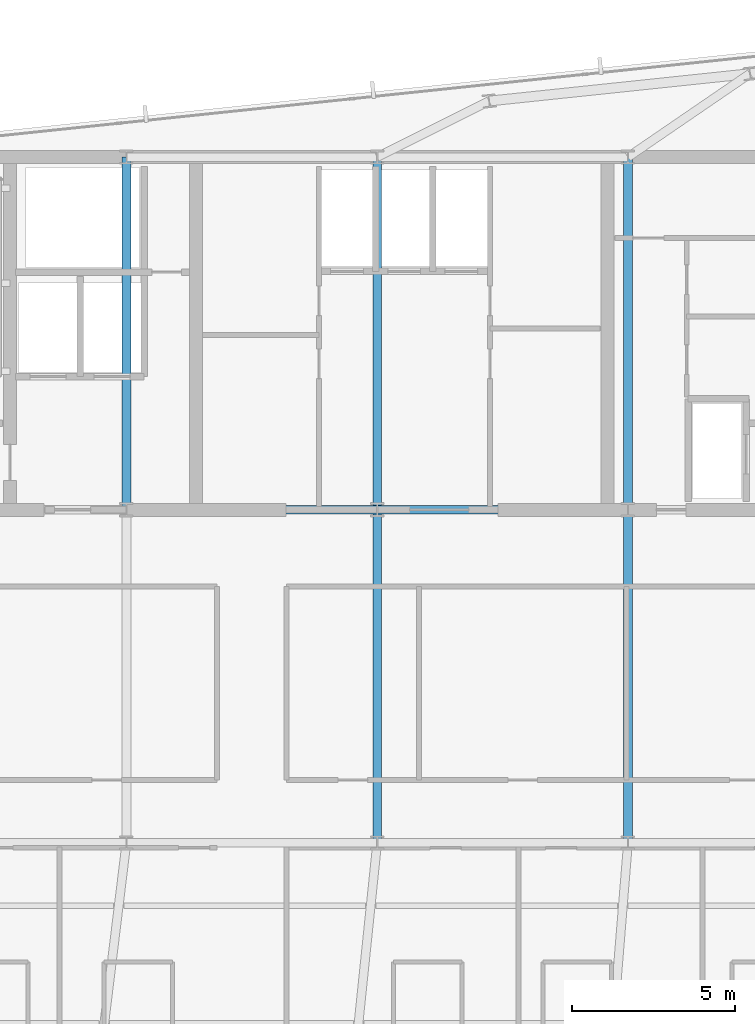
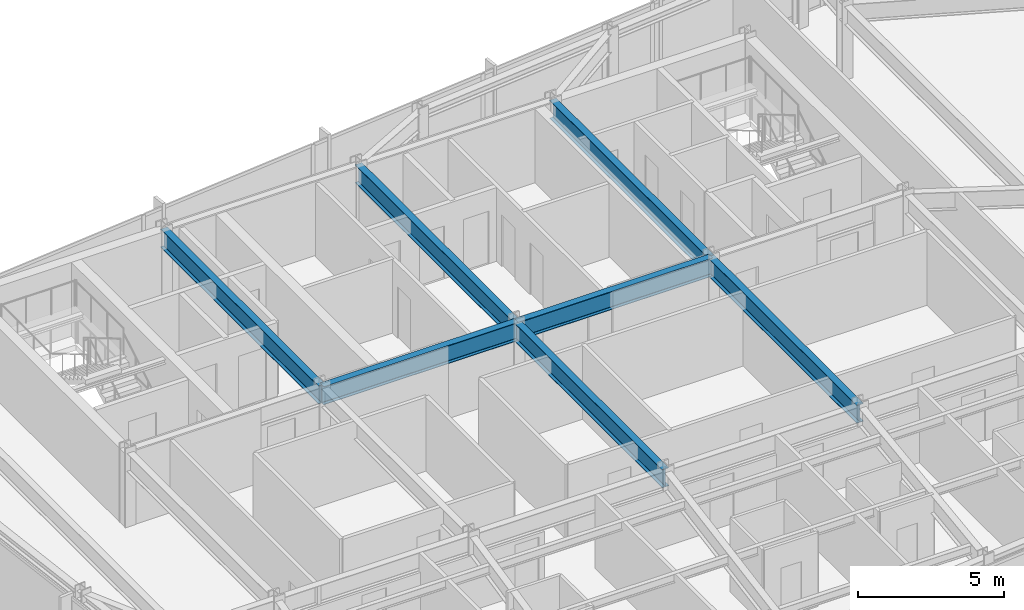
# One storey, part 13 of 33: 7 beams.
"""IFC4 building model written with IfcOpenShell, lengths in metres."""

from ifc_helpers import new_model, si_unit, direction, frame, origin, origin_2d, place, context, subcontext, project, spatial, i_section, extrude, material, material_profile, profile_set, type_object, element, save


model = new_model("IFC4")

# Units and contexts
model_context = context("Model", 3, precision=1e-05, world=origin(), true_north=direction((0.0, 1.0)))
body_context = subcontext(model_context, "Body", "Model", "MODEL_VIEW")
ifc_project = project(units=[si_unit("LENGTHUNIT", "METRE"), si_unit("AREAUNIT", "SQUARE_METRE"), si_unit("VOLUMEUNIT", "CUBIC_METRE"), si_unit("PLANEANGLEUNIT", "RADIAN"), si_unit("MASSUNIT", "GRAM", prefix="KILO")], contexts=[model_context])

# Site, building, storey
site_placement = place(None, origin())
site = spatial("IfcSite", under=ifc_project, at=site_placement, CompositionType="ELEMENT")
building_placement = place(site_placement, origin())
building = spatial("IfcBuilding", under=site, at=building_placement, Name="Yelkora Congress Tower", CompositionType="ELEMENT")
storey_placement = place(building_placement, frame((0.0, 0.0, 240.800048828125)))
storey = spatial("IfcBuildingStorey", under=building, at=storey_placement, Name="L67", CompositionType="ELEMENT", Elevation=240.800048828125)

# Beams
ifc_material = material(Name="Steel S355J2", Category="steel")
ifc_material_profile = material_profile(ifc_material, i_section(OverallWidth=0.26708984375, OverallDepth=0.761962890625, WebThickness=0.014404296875, FlangeThickness=0.021484375, FilletRadius=0.01708984375, at=origin_2d()), Name="IPE 750x173")
ifc_profile_set = profile_set([ifc_material_profile], Name="Steel S355J2")
beam_type = type_object("IfcBeamType", Name="BM-GIRD-IPE750", PredefinedType="BEAM", material=ifc_profile_set)
beam_1_placement = place(storey_placement, frame((30.719970703125, 35.39990234375, 2.698974609375), z_axis=(1.0, 0.0, 0.0), x_axis=(0.0, 1.0, 0.0)))
element("IfcBeam", 1, at=beam_1_placement, inside=storey, type_object=beam_type, Name="L67 Core South Girder 2", PredefinedType="BEAM", context=body_context, shape_type="SweptSolid", body=[
    extrude(i_section(OverallWidth=0.26708984375, OverallDepth=0.761962890625, WebThickness=0.014404296875, FlangeThickness=0.021484375, FilletRadius=0.01708984375, at=origin_2d()), origin(), (0.0, 0.0, 1.0), 7.679931640625),
])
beam_2_placement = place(storey_placement, frame((38.39990234375, 35.39990234375, 2.698974609375), z_axis=(1.0, 0.0, 0.0), x_axis=(0.0, 1.0, 0.0)))
element("IfcBeam", 2, at=beam_2_placement, inside=storey, type_object=beam_type, Name="L67 Core South Girder 3", PredefinedType="BEAM", context=body_context, shape_type="SweptSolid", body=[
    extrude(i_section(OverallWidth=0.26708984375, OverallDepth=0.761962890625, WebThickness=0.014404296875, FlangeThickness=0.021484375, FilletRadius=0.01708984375, at=origin_2d()), origin(), (0.0, 0.0, 1.0), 7.68017578125),
])
beam_3_placement = place(storey_placement, frame((30.719970703125, 35.39990234375, 2.698974609375), z_axis=(0.0, 1.0, 0.0), x_axis=(-1.0, 0.0, 0.0)))
element("IfcBeam", 3, at=beam_3_placement, inside=storey, type_object=beam_type, Name="L67 Core Tie Girder MC-S2", PredefinedType="BEAM", context=body_context, shape_type="SweptSolid", body=[
    extrude(i_section(OverallWidth=0.26708984375, OverallDepth=0.761962890625, WebThickness=0.014404296875, FlangeThickness=0.021484375, FilletRadius=0.01708984375, at=origin_2d()), origin(), (0.0, 0.0, 1.0), 10.800048828125),
])
beam_4_placement = place(storey_placement, frame((38.39990234375, 25.199951171875, 2.698974609375), z_axis=(0.0, 1.0, 0.0), x_axis=(-1.0, 0.0, 0.0)))
element("IfcBeam", 4, at=beam_4_placement, inside=storey, type_object=beam_type, Name="L67 Core Tie Girder MC-D3", PredefinedType="BEAM", context=body_context, shape_type="SweptSolid", body=[
    extrude(i_section(OverallWidth=0.26708984375, OverallDepth=0.761962890625, WebThickness=0.014404296875, FlangeThickness=0.021484375, FilletRadius=0.01708984375, at=origin_2d()), origin(), (0.0, 0.0, 1.0), 10.199951171875),
])
beam_5_placement = place(storey_placement, frame((38.39990234375, 35.39990234375, 2.698974609375), z_axis=(0.0, 1.0, 0.0), x_axis=(-1.0, 0.0, 0.0)))
element("IfcBeam", 5, at=beam_5_placement, inside=storey, type_object=beam_type, Name="L67 Core Tie Girder MC-S3", PredefinedType="BEAM", context=body_context, shape_type="SweptSolid", body=[
    extrude(i_section(OverallWidth=0.26708984375, OverallDepth=0.761962890625, WebThickness=0.014404296875, FlangeThickness=0.021484375, FilletRadius=0.01708984375, at=origin_2d()), origin(), (0.0, 0.0, 1.0), 10.800048828125),
])
beam_6_placement = place(storey_placement, frame((46.080078125, 25.199951171875, 2.698974609375), z_axis=(0.0, 1.0, 0.0), x_axis=(-1.0, 0.0, 0.0)))
element("IfcBeam", 6, at=beam_6_placement, inside=storey, type_object=beam_type, Name="L67 Core Tie Girder MC-D4", PredefinedType="BEAM", context=body_context, shape_type="SweptSolid", body=[
    extrude(i_section(OverallWidth=0.26708984375, OverallDepth=0.761962890625, WebThickness=0.014404296875, FlangeThickness=0.021484375, FilletRadius=0.01708984375, at=origin_2d()), origin(), (0.0, 0.0, 1.0), 10.199951171875),
])
beam_7_placement = place(storey_placement, frame((46.080078125, 35.39990234375, 2.698974609375), z_axis=(0.0, 1.0, 0.0), x_axis=(-1.0, 0.0, 0.0)))
element("IfcBeam", 7, at=beam_7_placement, inside=storey, type_object=beam_type, Name="L67 Core Tie Girder MC-S4", PredefinedType="BEAM", context=body_context, shape_type="SweptSolid", body=[
    extrude(i_section(OverallWidth=0.26708984375, OverallDepth=0.761962890625, WebThickness=0.014404296875, FlangeThickness=0.021484375, FilletRadius=0.01708984375, at=origin_2d()), origin(), (0.0, 0.0, 1.0), 10.800048828125),
])

save(model, "model.ifc")
